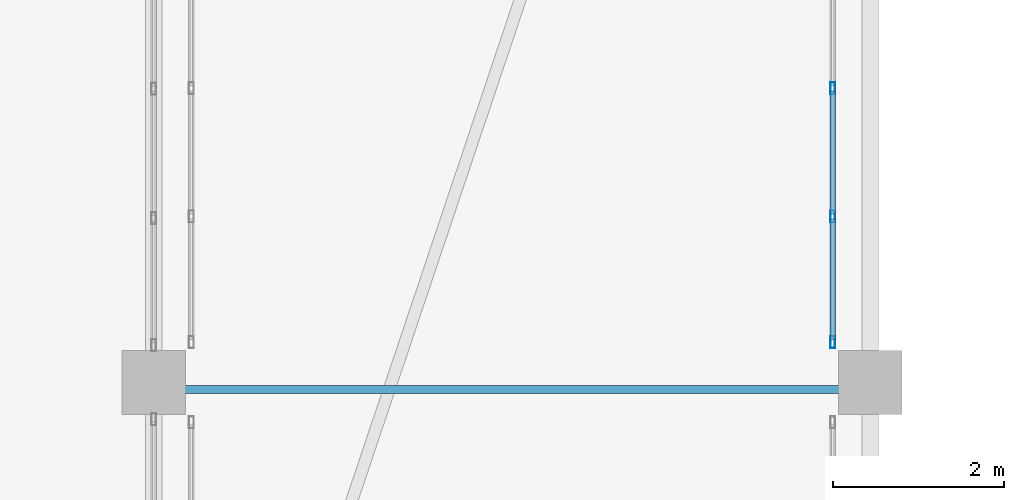
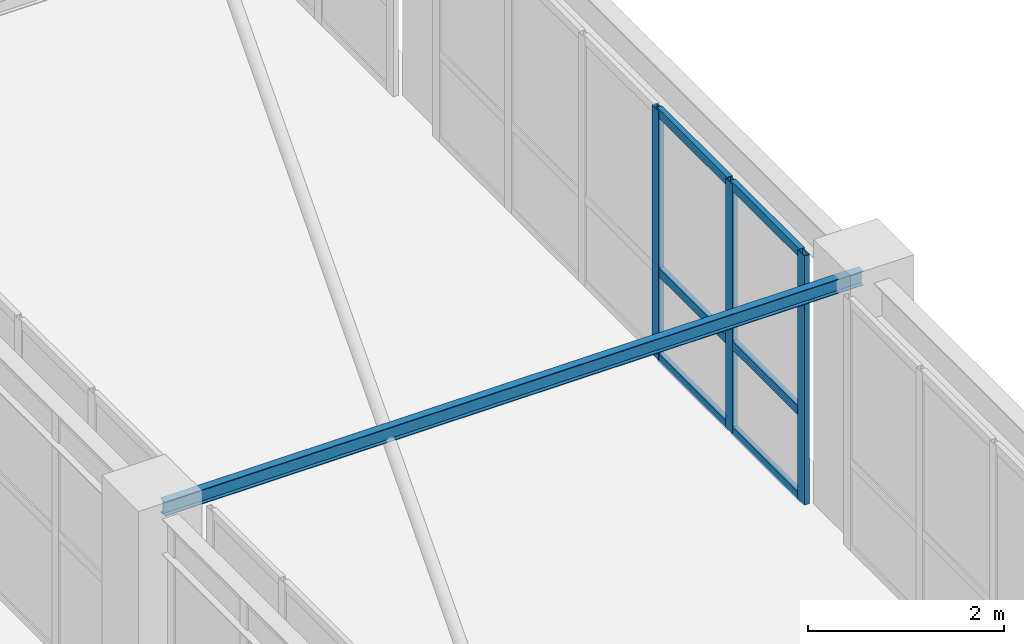
# One storey, part 95 of 200: 9 members, 1 beam, 1 element without a shape of its own.
"""IFC4 building model written with IfcOpenShell, lengths in metres."""

from ifc_helpers import new_model, si_unit, direction, frame, origin, origin_2d, place, context, subcontext, project, spatial, hollow_rectangle, i_section, extrude, material, layer, layer_set, material_profile, profile_set, type_object, element, aggregate, save


model = new_model("IFC4")

# Units and contexts
model_context = context("Model", 3, precision=1e-05, world=origin(), true_north=direction((0.0, 1.0)))
body_context = subcontext(model_context, "Body", "Model", "MODEL_VIEW")
ifc_project = project(units=[si_unit("LENGTHUNIT", "METRE"), si_unit("AREAUNIT", "SQUARE_METRE"), si_unit("VOLUMEUNIT", "CUBIC_METRE"), si_unit("PLANEANGLEUNIT", "RADIAN"), si_unit("MASSUNIT", "GRAM", prefix="KILO")], contexts=[model_context])

# Site, building, storey
site_placement = place(None, origin())
site = spatial("IfcSite", under=ifc_project, at=site_placement, CompositionType="ELEMENT")
building_placement = place(site_placement, origin())
building = spatial("IfcBuilding", under=site, at=building_placement, Name="Trelvath General Hospital", CompositionType="ELEMENT")
storey_placement = place(building_placement, frame((0.0, 0.0, 4.800048828125)))
storey = spatial("IfcBuildingStorey", under=building, at=storey_placement, Name="L01", CompositionType="ELEMENT", Elevation=4.800048828125)

# Beam
ifc_material_1 = material(Name="Steel S355", Category="steel")
ifc_material_profile_1 = material_profile(ifc_material_1, i_section(OverallWidth=0.091064453125, OverallDepth=0.179931640625, WebThickness=0.00537109375, FlangeThickness=0.008056640625, at=origin_2d()), Name="IPE180")
ifc_profile_set_1 = profile_set([ifc_material_profile_1], Name="Steel S355")
beam_type = type_object("IfcBeamType", Name="BridgeJoist IPE180", PredefinedType="JOIST", material=ifc_profile_set_1)
beam_placement = place(storey_placement, frame((75.679931640625, 75.51611328125, 3.02001953125), z_axis=(1.0, 0.0, 0.0), x_axis=(0.0, 1.0, 0.0)))
element("IfcBeam", 1, at=beam_placement, inside=storey, type_object=beam_type, Name="Bridge Cross Joist BRG-N-C L02", PredefinedType="JOIST", context=body_context, shape_type="SweptSolid", body=[
    extrude(i_section(OverallWidth=0.091064453125, OverallDepth=0.179931640625, WebThickness=0.00537109375, FlangeThickness=0.008056640625, at=origin_2d()), origin(), (0.0, 0.0, 1.0), 8.239990234375),
])

# Curtain wall, members
ifc_material_2 = material(Name="Anodised aluminium and low-E glass", Category="aluminium")
ifc_layer = layer(ifc_material_2, 0.139892578125)
ifc_layer_set = layer_set([ifc_layer], Name="Anodised aluminium and low-E glass")
curtain_wall_type = type_object("IfcCurtainWallType", Name="CW Bridge 752 311", PredefinedType="USERDEFINED", material=ifc_layer_set)
curtain_wall_placement = place(storey_placement, origin())
curtain_wall = element("IfcCurtainWall", 2, at=curtain_wall_placement, inside=storey, type_object=curtain_wall_type, Name="Glazed Bridge Curtain Wall BRG-N-C E L01", ObjectType="Unitised Glazed Curtain Wall", PredefinedType="USERDEFINED")
ifc_material_3 = material(Name="Anodised aluminium", Category="aluminium")
ifc_material_profile_2 = material_profile(ifc_material_3, hollow_rectangle(XDim=0.06005859375, YDim=0.139892578125, WallThickness=0.00390625, at=origin_2d()), Name="RHS60x140x4")
ifc_profile_set_2 = profile_set([ifc_material_profile_2], Name="Anodised aluminium")
member_type_1 = type_object("IfcMemberType", Name="CurtainMullion 60x140", PredefinedType="MULLION", material=ifc_profile_set_2)
member_1_placement = place(storey_placement, frame((83.56005859375, 79.048095703125, 0.0), z_axis=(0.0, 0.0, 1.0), x_axis=(1.0, 0.0, 0.0)))
member_1 = element("IfcMember", 3, at=member_1_placement, type_object=member_type_1, Name="CW-175 mullion 4", PredefinedType="MULLION", context=body_context, shape_type="SweptSolid", body=[
    extrude(hollow_rectangle(XDim=0.06005859375, YDim=0.139892578125, WallThickness=0.00390625, at=origin_2d()), origin(), (0.0, 0.0, 1.0), 3.10986328125),
])
member_2_placement = place(storey_placement, frame((83.56005859375, 77.5439453125, 0.0), z_axis=(0.0, 0.0, 1.0), x_axis=(1.0, 0.0, 0.0)))
member_2 = element("IfcMember", 4, at=member_2_placement, type_object=member_type_1, Name="CW-175 mullion 5", PredefinedType="MULLION", context=body_context, shape_type="SweptSolid", body=[
    extrude(hollow_rectangle(XDim=0.06005859375, YDim=0.139892578125, WallThickness=0.00390625, at=origin_2d()), origin(), (0.0, 0.0, 1.0), 3.10986328125),
])
member_3_placement = place(storey_placement, frame((83.56005859375, 76.070068359375, 0.0), z_axis=(0.0, 0.0, 1.0), x_axis=(1.0, 0.0, 0.0)))
member_3 = element("IfcMember", 5, at=member_3_placement, type_object=member_type_1, Name="CW-175 mullion 6", PredefinedType="MULLION", context=body_context, shape_type="SweptSolid", body=[
    extrude(hollow_rectangle(XDim=0.06005859375, YDim=0.139892578125, WallThickness=0.00390625, at=origin_2d()), origin(), (0.0, 0.0, 1.0), 3.10986328125),
])
ifc_material_4 = material(Name="Anodised aluminium", Category="aluminium")
ifc_material_profile_3 = material_profile(ifc_material_4, hollow_rectangle(XDim=0.06005859375, YDim=0.110107421875, WallThickness=0.00390625, at=origin_2d()), Name="RHS60x110x4")
ifc_profile_set_3 = profile_set([ifc_material_profile_3], Name="Anodised aluminium")
member_type_2 = type_object("IfcMemberType", Name="CurtainTransom 60x110", PredefinedType="USERDEFINED", material=ifc_profile_set_3)
member_4_placement = place(storey_placement, frame((83.56005859375, 79.01806640625, 0.030029296875), z_axis=(0.0, -1.0, 0.0), x_axis=(1.0, 0.0, 0.0)))
member_4 = element("IfcMember", 6, at=member_4_placement, type_object=member_type_2, Name="CW-175 transom 4.1", ObjectType="TRANSOM", PredefinedType="USERDEFINED", context=body_context, shape_type="SweptSolid", body=[
    extrude(hollow_rectangle(XDim=0.06005859375, YDim=0.110107421875, WallThickness=0.00390625, at=origin_2d()), origin(), (0.0, 0.0, 1.0), 1.444091796875),
])
member_5_placement = place(storey_placement, frame((83.56005859375, 79.01806640625, 1.099853515625), z_axis=(0.0, -1.0, 0.0), x_axis=(1.0, 0.0, 0.0)))
member_5 = element("IfcMember", 7, at=member_5_placement, type_object=member_type_2, Name="CW-175 transom 4.2", ObjectType="TRANSOM", PredefinedType="USERDEFINED", context=body_context, shape_type="SweptSolid", body=[
    extrude(hollow_rectangle(XDim=0.06005859375, YDim=0.110107421875, WallThickness=0.00390625, at=origin_2d()), origin(), (0.0, 0.0, 1.0), 1.444091796875),
])
member_6_placement = place(storey_placement, frame((83.56005859375, 79.01806640625, 3.079833984375), z_axis=(0.0, -1.0, 0.0), x_axis=(1.0, 0.0, 0.0)))
member_6 = element("IfcMember", 8, at=member_6_placement, type_object=member_type_2, Name="CW-175 transom 4.3", ObjectType="TRANSOM", PredefinedType="USERDEFINED", context=body_context, shape_type="SweptSolid", body=[
    extrude(hollow_rectangle(XDim=0.06005859375, YDim=0.110107421875, WallThickness=0.00390625, at=origin_2d()), origin(), (0.0, 0.0, 1.0), 1.444091796875),
])
member_7_placement = place(storey_placement, frame((83.56005859375, 77.513916015625, 0.030029296875), z_axis=(0.0, -1.0, 0.0), x_axis=(1.0, 0.0, 0.0)))
member_7 = element("IfcMember", 9, at=member_7_placement, type_object=member_type_2, Name="CW-175 transom 5.1", ObjectType="TRANSOM", PredefinedType="USERDEFINED", context=body_context, shape_type="SweptSolid", body=[
    extrude(hollow_rectangle(XDim=0.06005859375, YDim=0.110107421875, WallThickness=0.00390625, at=origin_2d()), origin(), (0.0, 0.0, 1.0), 1.413818359375),
])
member_8_placement = place(storey_placement, frame((83.56005859375, 77.513916015625, 1.099853515625), z_axis=(0.0, -1.0, 0.0), x_axis=(1.0, 0.0, 0.0)))
member_8 = element("IfcMember", 10, at=member_8_placement, type_object=member_type_2, Name="CW-175 transom 5.2", ObjectType="TRANSOM", PredefinedType="USERDEFINED", context=body_context, shape_type="SweptSolid", body=[
    extrude(hollow_rectangle(XDim=0.06005859375, YDim=0.110107421875, WallThickness=0.00390625, at=origin_2d()), origin(), (0.0, 0.0, 1.0), 1.413818359375),
])
member_9_placement = place(storey_placement, frame((83.56005859375, 77.513916015625, 3.079833984375), z_axis=(0.0, -1.0, 0.0), x_axis=(1.0, 0.0, 0.0)))
member_9 = element("IfcMember", 11, at=member_9_placement, type_object=member_type_2, Name="CW-175 transom 5.3", ObjectType="TRANSOM", PredefinedType="USERDEFINED", context=body_context, shape_type="SweptSolid", body=[
    extrude(hollow_rectangle(XDim=0.06005859375, YDim=0.110107421875, WallThickness=0.00390625, at=origin_2d()), origin(), (0.0, 0.0, 1.0), 1.413818359375),
])
aggregate(curtain_wall, [member_1, member_2, member_3, member_4, member_5, member_6, member_7, member_8, member_9])

save(model, "model.ifc")
